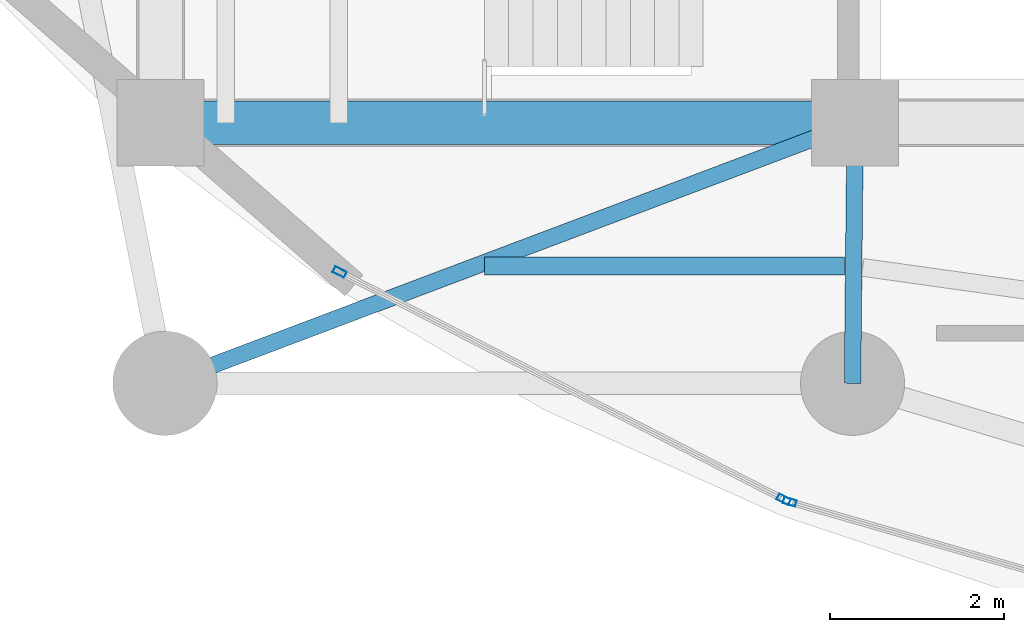
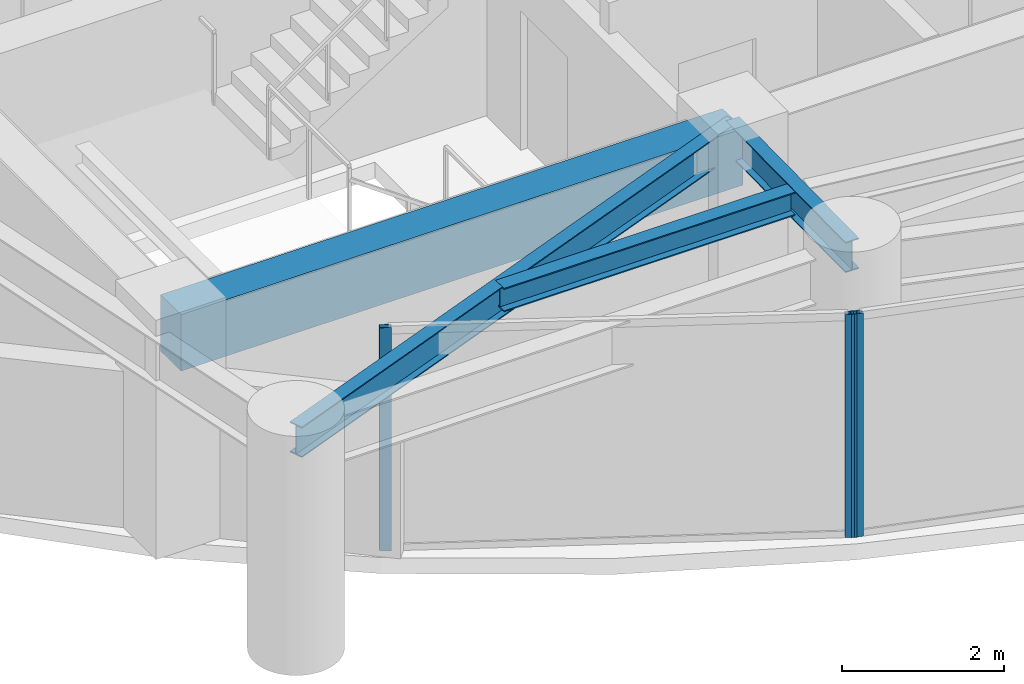
# One storey, part 2 of 28: 4 beams, 3 members, 2 elements without a shape of their own.
"""IFC4 building model written with IfcOpenShell, lengths in metres."""

from ifc_helpers import new_model, si_unit, direction, frame, origin, origin_2d, place, context, subcontext, project, spatial, rectangle, hollow_rectangle, i_section, extrude, material, layer, layer_set, material_profile, profile_set, type_object, element, aggregate, save


model = new_model("IFC4")

# Units and contexts
model_context = context("Model", 3, precision=1e-05, world=origin(), true_north=direction((0.0, 1.0)))
body_context = subcontext(model_context, "Body", "Model", "MODEL_VIEW")
ifc_project = project(units=[si_unit("LENGTHUNIT", "METRE"), si_unit("AREAUNIT", "SQUARE_METRE"), si_unit("VOLUMEUNIT", "CUBIC_METRE"), si_unit("PLANEANGLEUNIT", "RADIAN"), si_unit("MASSUNIT", "GRAM", prefix="KILO")], contexts=[model_context])

# Site, building, storey
site_placement = place(None, origin())
site = spatial("IfcSite", under=ifc_project, at=site_placement, CompositionType="ELEMENT")
building_placement = place(site_placement, origin())
building = spatial("IfcBuilding", under=site, at=building_placement, Name="Kazevale Care Tower and Concert Hall", CompositionType="ELEMENT")
storey_placement = place(building_placement, frame((0.0, 0.0, 142.199951171875)))
storey = spatial("IfcBuildingStorey", under=building, at=storey_placement, Name="L37", CompositionType="ELEMENT", Elevation=142.199951171875)

# Curtain wall, member
ifc_material_1 = material(Name="Aluminium 6063-T6 and Low-E Glass", Category="aluminium")
ifc_layer = layer(ifc_material_1, 0.179931640625)
ifc_layer_set = layer_set([ifc_layer], Name="Aluminium 6063-T6 and Low-E Glass")
curtain_wall_type = type_object("IfcCurtainWallType", Name="Sheltered Concave Balcony Curtain Wall CW-5", PredefinedType="NOTDEFINED", material=ifc_layer_set)
curtain_wall_1_placement = place(storey_placement, origin())
curtain_wall_1 = element("IfcCurtainWall", 1, at=curtain_wall_1_placement, inside=storey, type_object=curtain_wall_type, Name="cw:L37:f08", PredefinedType="NOTDEFINED")
ifc_material_2 = material(Name="Aluminium 6063-T6", Category="aluminium")
ifc_material_profile_1 = material_profile(ifc_material_2, hollow_rectangle(XDim=0.074951171875, YDim=0.14990234375, WallThickness=0.00390625, at=origin_2d()), Name="ALU75x150x4")
ifc_profile_set_1 = profile_set([ifc_material_profile_1], Name="Aluminium 6063-T6")
member_type = type_object("IfcMemberType", Name="CW-5 Mullion ALU75x150x4", PredefinedType="MULLION", material=ifc_profile_set_1)
member_1_placement = place(storey_placement, frame((29.2470703125, 19.234619140625, 0.0), z_axis=(0.0, 0.0, 1.0), x_axis=(-0.276290733172, -0.961074102639, 0.0)))
member_1 = element("IfcMember", 2, at=member_1_placement, type_object=member_type, Name="CW-5 mullion 2", PredefinedType="MULLION", context=body_context, shape_type="SweptSolid", body=[
    extrude(hollow_rectangle(XDim=0.074951171875, YDim=0.14990234375, WallThickness=0.00390625, at=origin_2d()), origin(), (0.0, 0.0, 1.0), 3.360107421875),
])
aggregate(curtain_wall_1, [member_1])

# Curtain wall, members
curtain_wall_2_placement = place(storey_placement, origin())
curtain_wall_2 = element("IfcCurtainWall", 3, at=curtain_wall_2_placement, inside=storey, type_object=curtain_wall_type, Name="cw:L37:f09", PredefinedType="NOTDEFINED")
member_2_placement = place(storey_placement, frame((29.177734375, 19.26220703125, 0.0), z_axis=(0.0, 0.0, 1.0), x_axis=(-0.455713236575, -0.890126646051, 0.0)))
member_2 = element("IfcMember", 4, at=member_2_placement, type_object=member_type, Name="CW-5 mullion 1", PredefinedType="MULLION", context=body_context, shape_type="SweptSolid", body=[
    extrude(hollow_rectangle(XDim=0.074951171875, YDim=0.14990234375, WallThickness=0.00390625, at=origin_2d()), origin(), (0.0, 0.0, 1.0), 3.360107421875),
])
member_3_placement = place(storey_placement, frame((24.0625, 21.880859375, 0.0), z_axis=(0.0, 0.0, 1.0), x_axis=(-0.455713236575, -0.890126646051, 0.0)))
member_3 = element("IfcMember", 5, at=member_3_placement, type_object=member_type, Name="CW-5 mullion 2", PredefinedType="MULLION", context=body_context, shape_type="SweptSolid", body=[
    extrude(hollow_rectangle(XDim=0.074951171875, YDim=0.14990234375, WallThickness=0.00390625, at=origin_2d()), origin(), (0.0, 0.0, 1.0), 3.360107421875),
])
aggregate(curtain_wall_2, [member_2, member_3])

# Beams
ifc_material_3 = material(Name="Concrete C60", Category="concrete")
ifc_material_profile_2 = material_profile(ifc_material_3, rectangle(XDim=0.5, YDim=0.85009765625, at=origin_2d()), Name="RC-B500x850")
ifc_profile_set_2 = profile_set([ifc_material_profile_2], Name="Concrete C60")
beam_type_1 = type_object("IfcBeamType", Name="Core Coupling Beam RC500x850", PredefinedType="LINTEL", material=ifc_profile_set_2)
beam_1_placement = place(storey_placement, frame((22.0, 23.60009765625, 2.93505859375), z_axis=(1.0, 0.0, 0.0), x_axis=(0.0, 1.0, 0.0)))
element("IfcBeam", 6, at=beam_1_placement, inside=storey, type_object=beam_type_1, Name="beam:L37:coretie:1", PredefinedType="LINTEL", context=body_context, shape_type="SweptSolid", body=[
    extrude(rectangle(XDim=0.5, YDim=0.85009765625, at=origin_2d()), origin(), (0.0, 0.0, 1.0), 8.0),
])
ifc_material_4 = material(Name="Steel ASTM A572 Gr 50", Category="steel")
ifc_material_profile_3 = material_profile(ifc_material_4, i_section(OverallWidth=0.19091796875, OverallDepth=0.4599609375, WebThickness=0.010009765625, FlangeThickness=0.01611328125, at=origin_2d()), Name="W460x82")
ifc_profile_set_3 = profile_set([ifc_material_profile_3], Name="Steel ASTM A572 Gr 50")
beam_type_2 = type_object("IfcBeamType", Name="Radial Floor Beam W460x82", PredefinedType="BEAM", material=ifc_profile_set_3)
beam_2_placement = place(storey_placement, frame((30.0, 23.60009765625, 3.130126953125), z_axis=(-0.935601002663, -0.353059150592, 0.0), x_axis=(0.353059150592, -0.935601002663, 0.0)))
element("IfcBeam", 7, at=beam_2_placement, inside=storey, type_object=beam_type_2, Name="beam:L37:rad:10", PredefinedType="BEAM", context=body_context, shape_type="SweptSolid", body=[
    extrude(i_section(OverallWidth=0.19091796875, OverallDepth=0.4599609375, WebThickness=0.010009765625, FlangeThickness=0.01611328125, at=origin_2d()), origin(), (0.0, 0.0, 1.0), 8.4970703125),
])
beam_3_placement = place(storey_placement, frame((30.0, 23.60009765625, 3.130126953125), z_axis=(-0.010009264196, -0.99994990606, 0.0), x_axis=(0.99994990606, -0.010009264196, 0.0)))
element("IfcBeam", 8, at=beam_3_placement, inside=storey, type_object=beam_type_2, Name="beam:L37:rad:11", PredefinedType="BEAM", context=body_context, shape_type="SweptSolid", body=[
    extrude(i_section(OverallWidth=0.19091796875, OverallDepth=0.4599609375, WebThickness=0.010009765625, FlangeThickness=0.01611328125, at=origin_2d()), origin(), (0.0, 0.0, 1.0), 3.000244140625),
])
ifc_material_profile_4 = material_profile(ifc_material_4, i_section(OverallWidth=0.205078125, OverallDepth=0.35400390625, WebThickness=0.009521484375, FlangeThickness=0.016845703125, at=origin_2d()), Name="W360x79")
ifc_profile_set_4 = profile_set([ifc_material_profile_4], Name="Steel ASTM A572 Gr 50")
beam_type_3 = type_object("IfcBeamType", Name="Secondary Floor Joist W360x79", PredefinedType="JOIST", material=ifc_profile_set_4)
beam_4_placement = place(storey_placement, frame((25.73291015625, 21.949951171875, 3.18310546875), z_axis=(1.0, 0.0, 0.0), x_axis=(0.0, 1.0, 0.0)))
element("IfcBeam", 9, at=beam_4_placement, inside=storey, type_object=beam_type_3, Name="beam:L37:joist:10", PredefinedType="JOIST", context=body_context, shape_type="SweptSolid", body=[
    extrude(i_section(OverallWidth=0.205078125, OverallDepth=0.35400390625, WebThickness=0.009521484375, FlangeThickness=0.016845703125, at=origin_2d()), origin(), (0.0, 0.0, 1.0), 4.14501953125),
])

save(model, "model.ifc")
